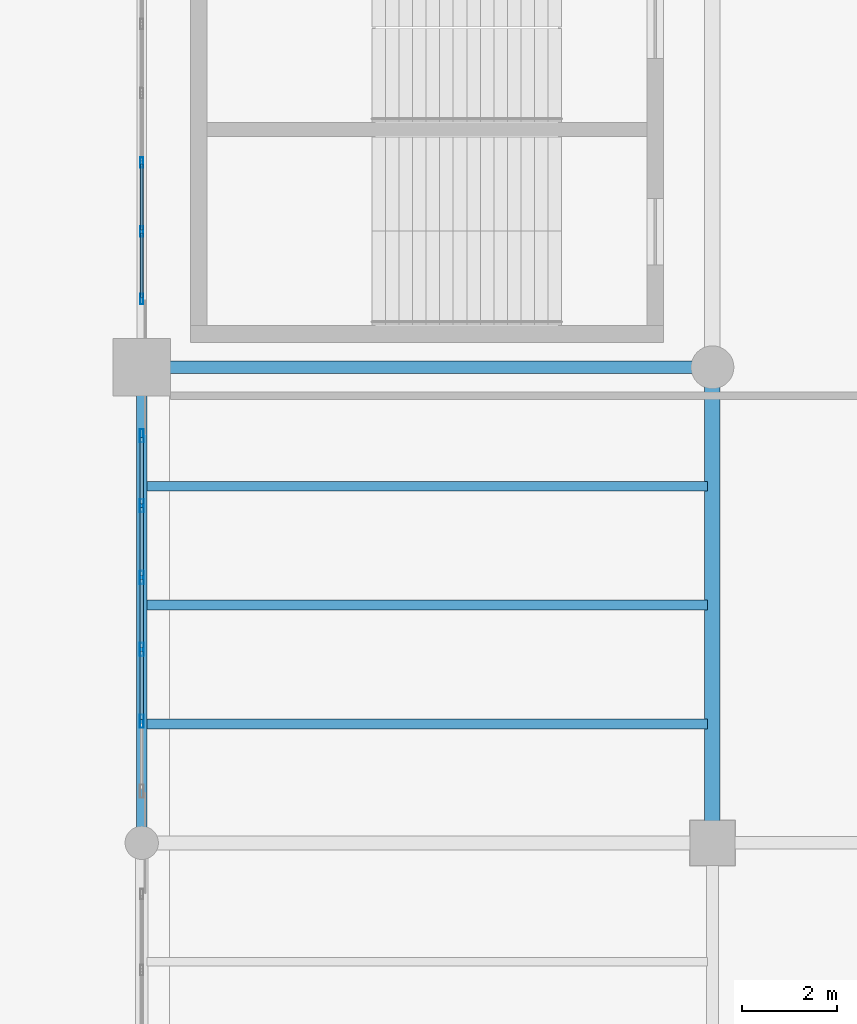
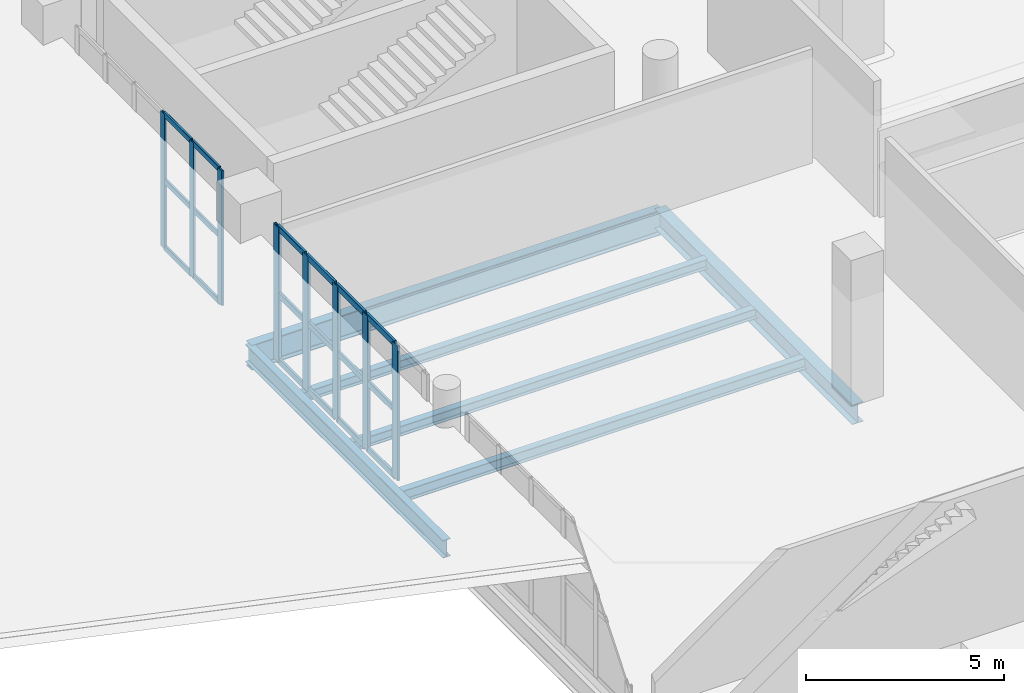
# One storey, part 22 of 90: 26 members, 6 beams, 2 elements without a shape of their own.
"""IFC4 building model written with IfcOpenShell, lengths in metres."""

from ifc_helpers import new_model, si_unit, direction, frame, origin, origin_2d, place, context, subcontext, project, spatial, hollow_rectangle, i_section, extrude, material, layer, layer_set, material_profile, profile_set, type_object, element, aggregate, save


model = new_model("IFC4")

# Units and contexts
model_context = context("Model", 3, precision=1e-05, world=origin(), true_north=direction((0.0, 1.0)))
body_context = subcontext(model_context, "Body", "Model", "MODEL_VIEW")
ifc_project = project(units=[si_unit("LENGTHUNIT", "METRE"), si_unit("AREAUNIT", "SQUARE_METRE"), si_unit("VOLUMEUNIT", "CUBIC_METRE"), si_unit("PLANEANGLEUNIT", "RADIAN"), si_unit("MASSUNIT", "GRAM", prefix="KILO")], contexts=[model_context])

# Site, building, storey
site_placement = place(None, origin())
site = spatial("IfcSite", under=ifc_project, at=site_placement, CompositionType="ELEMENT")
building_placement = place(site_placement, origin())
building = spatial("IfcBuilding", under=site, at=building_placement, Name="Brinegate Civic Arena", CompositionType="ELEMENT")
storey_placement = place(building_placement, frame((0.0, 0.0, 14.699951171875)))
storey = spatial("IfcBuildingStorey", under=building, at=storey_placement, Name="L03", CompositionType="ELEMENT", Elevation=14.699951171875)

# Curtain wall, members
ifc_material_1 = material(Name="Marine grade aluminium", Category="aluminium")
ifc_layer = layer(ifc_material_1, 0.199951171875, Name="Marine grade aluminium")
ifc_layer_set = layer_set([ifc_layer], Name="Marine grade aluminium")
curtain_wall_type = type_object("IfcCurtainWallType", Name="CW-BOWL-GLAZED-01", PredefinedType="USERDEFINED", material=ifc_layer_set)
curtain_wall_1_placement = place(storey_placement, origin())
curtain_wall_1 = element("IfcCurtainWall", 1, at=curtain_wall_1_placement, inside=storey, type_object=curtain_wall_type, Name="Curtain Wall CWA-117", ObjectType="GLAZED CURTAIN WALL", PredefinedType="USERDEFINED")
ifc_material_profile_1 = material_profile(ifc_material_1, hollow_rectangle(XDim=0.06494140625, YDim=0.219970703125, WallThickness=0.006103515625, InnerFilletRadius=0.00390625, OuterFilletRadius=0.008056640625, at=origin_2d()), Name="MUL65X220")
ifc_profile_set_1 = profile_set([ifc_material_profile_1], Name="Marine grade aluminium")
member_type_1 = type_object("IfcMemberType", Name="CW-MULLION-65X220", PredefinedType="MULLION", material=ifc_profile_set_1)
member_1_placement = place(storey_placement, frame((48.0, 73.431396484375, 0.0), z_axis=(0.0, 0.0, 1.0), x_axis=(-1.0, 0.0, 0.0)))
member_1 = element("IfcMember", 2, at=member_1_placement, type_object=member_type_1, Name="CWA-117 mullion 1", PredefinedType="MULLION", context=body_context, shape_type="SweptSolid", body=[
    extrude(hollow_rectangle(XDim=0.06494140625, YDim=0.219970703125, WallThickness=0.006103515625, InnerFilletRadius=0.00390625, OuterFilletRadius=0.008056640625, at=origin_2d()), origin(), (0.0, 0.0, 1.0), 4.16015625),
])
member_2_placement = place(storey_placement, frame((48.0, 74.853515625, 0.0), z_axis=(0.0, 0.0, 1.0), x_axis=(-1.0, 0.0, 0.0)))
member_2 = element("IfcMember", 3, at=member_2_placement, type_object=member_type_1, Name="CWA-117 mullion 2", PredefinedType="MULLION", context=body_context, shape_type="SweptSolid", body=[
    extrude(hollow_rectangle(XDim=0.06494140625, YDim=0.219970703125, WallThickness=0.006103515625, InnerFilletRadius=0.00390625, OuterFilletRadius=0.008056640625, at=origin_2d()), origin(), (0.0, 0.0, 1.0), 4.16015625),
])
member_3_placement = place(storey_placement, frame((48.0, 76.30810546875, 0.0), z_axis=(0.0, 0.0, 1.0), x_axis=(-1.0, 0.0, 0.0)))
member_3 = element("IfcMember", 4, at=member_3_placement, type_object=member_type_1, Name="CWA-117 mullion 3", PredefinedType="MULLION", context=body_context, shape_type="SweptSolid", body=[
    extrude(hollow_rectangle(XDim=0.06494140625, YDim=0.219970703125, WallThickness=0.006103515625, InnerFilletRadius=0.00390625, OuterFilletRadius=0.008056640625, at=origin_2d()), origin(), (0.0, 0.0, 1.0), 4.16015625),
])

curtain_wall_2_placement = place(storey_placement, origin())
curtain_wall_2 = element("IfcCurtainWall", 5, at=curtain_wall_2_placement, inside=storey, type_object=curtain_wall_type, Name="Curtain Wall CWA-115", ObjectType="GLAZED CURTAIN WALL", PredefinedType="USERDEFINED")
ifc_material_profile_2 = material_profile(ifc_material_1, hollow_rectangle(XDim=0.080078125, YDim=0.280029296875, WallThickness=0.007080078125, InnerFilletRadius=0.0048828125, OuterFilletRadius=0.010009765625, at=origin_2d()), Name="MUL80X280")
ifc_profile_set_2 = profile_set([ifc_material_profile_2], Name="Marine grade aluminium")
member_type_2 = type_object("IfcMemberType", Name="CW-MULLION-80X280", PredefinedType="MULLION", material=ifc_profile_set_2)
member_4_placement = place(storey_placement, frame((48.0, 64.55615234375, 0.0), z_axis=(0.0, 0.0, 1.0), x_axis=(-1.0, 0.0, 0.0)))
member_4 = element("IfcMember", 6, at=member_4_placement, type_object=member_type_2, Name="CWA-115 mullion 2", PredefinedType="MULLION", context=body_context, shape_type="SweptSolid", body=[
    extrude(hollow_rectangle(XDim=0.080078125, YDim=0.280029296875, WallThickness=0.007080078125, InnerFilletRadius=0.0048828125, OuterFilletRadius=0.010009765625, at=origin_2d()), origin(), (0.0, 0.0, 1.0), 4.16015625),
])
member_5_placement = place(storey_placement, frame((48.0, 66.0673828125, 0.0), z_axis=(0.0, 0.0, 1.0), x_axis=(-1.0, 0.0, 0.0)))
member_5 = element("IfcMember", 7, at=member_5_placement, type_object=member_type_2, Name="CWA-115 mullion 3", PredefinedType="MULLION", context=body_context, shape_type="SweptSolid", body=[
    extrude(hollow_rectangle(XDim=0.080078125, YDim=0.280029296875, WallThickness=0.007080078125, InnerFilletRadius=0.0048828125, OuterFilletRadius=0.010009765625, at=origin_2d()), origin(), (0.0, 0.0, 1.0), 4.16015625),
])
member_6_placement = place(storey_placement, frame((48.0, 67.57861328125, 0.0), z_axis=(0.0, 0.0, 1.0), x_axis=(-1.0, 0.0, 0.0)))
member_6 = element("IfcMember", 8, at=member_6_placement, type_object=member_type_2, Name="CWA-115 mullion 4", PredefinedType="MULLION", context=body_context, shape_type="SweptSolid", body=[
    extrude(hollow_rectangle(XDim=0.080078125, YDim=0.280029296875, WallThickness=0.007080078125, InnerFilletRadius=0.0048828125, OuterFilletRadius=0.010009765625, at=origin_2d()), origin(), (0.0, 0.0, 1.0), 4.16015625),
])
member_7_placement = place(storey_placement, frame((48.0, 69.08984375, 0.0), z_axis=(0.0, 0.0, 1.0), x_axis=(-1.0, 0.0, 0.0)))
member_7 = element("IfcMember", 9, at=member_7_placement, type_object=member_type_2, Name="CWA-115 mullion 5", PredefinedType="MULLION", context=body_context, shape_type="SweptSolid", body=[
    extrude(hollow_rectangle(XDim=0.080078125, YDim=0.280029296875, WallThickness=0.007080078125, InnerFilletRadius=0.0048828125, OuterFilletRadius=0.010009765625, at=origin_2d()), origin(), (0.0, 0.0, 1.0), 4.16015625),
])
member_8_placement = place(storey_placement, frame((48.0, 70.56103515625, 0.0), z_axis=(0.0, 0.0, 1.0), x_axis=(-1.0, 0.0, 0.0)))
member_8 = element("IfcMember", 10, at=member_8_placement, type_object=member_type_2, Name="CWA-115 mullion 6", PredefinedType="MULLION", context=body_context, shape_type="SweptSolid", body=[
    extrude(hollow_rectangle(XDim=0.080078125, YDim=0.280029296875, WallThickness=0.007080078125, InnerFilletRadius=0.0048828125, OuterFilletRadius=0.010009765625, at=origin_2d()), origin(), (0.0, 0.0, 1.0), 4.16015625),
])

# Member
ifc_material_profile_3 = material_profile(ifc_material_1, hollow_rectangle(XDim=0.06494140625, YDim=0.1650390625, WallThickness=0.0048828125, InnerFilletRadius=0.00390625, OuterFilletRadius=0.008056640625, at=origin_2d()), Name="TRN65X165")
ifc_profile_set_3 = profile_set([ifc_material_profile_3], Name="Marine grade aluminium")
member_type_3 = type_object("IfcMemberType", Name="CW-TRANSOM-65X165", PredefinedType="USERDEFINED", material=ifc_profile_set_3)
member_9_placement = place(storey_placement, frame((48.0, 73.464111328125, 0.032470703125), z_axis=(0.0, 1.0, 0.0), x_axis=(-1.0, 0.0, 0.0)))
member_9 = element("IfcMember", 11, at=member_9_placement, type_object=member_type_3, Name="CWA-117 transom 1.1", ObjectType="TRANSOM", PredefinedType="USERDEFINED", context=body_context, shape_type="SweptSolid", body=[
    extrude(hollow_rectangle(XDim=0.06494140625, YDim=0.1650390625, WallThickness=0.0048828125, InnerFilletRadius=0.00390625, OuterFilletRadius=0.008056640625, at=origin_2d()), origin(), (0.0, 0.0, 1.0), 1.35693359375),
])

member_10_placement = place(storey_placement, frame((48.0, 73.464111328125, 2.080078125), z_axis=(0.0, 1.0, 0.0), x_axis=(-1.0, 0.0, 0.0)))
member_10 = element("IfcMember", 12, at=member_10_placement, type_object=member_type_3, Name="CWA-117 transom 1.2", ObjectType="TRANSOM", PredefinedType="USERDEFINED", context=body_context, shape_type="SweptSolid", body=[
    extrude(hollow_rectangle(XDim=0.06494140625, YDim=0.1650390625, WallThickness=0.0048828125, InnerFilletRadius=0.00390625, OuterFilletRadius=0.008056640625, at=origin_2d()), origin(), (0.0, 0.0, 1.0), 1.35693359375),
])

member_11_placement = place(storey_placement, frame((48.0, 73.464111328125, 4.12744140625), z_axis=(0.0, 1.0, 0.0), x_axis=(-1.0, 0.0, 0.0)))
member_11 = element("IfcMember", 13, at=member_11_placement, type_object=member_type_3, Name="CWA-117 transom 1.3", ObjectType="TRANSOM", PredefinedType="USERDEFINED", context=body_context, shape_type="SweptSolid", body=[
    extrude(hollow_rectangle(XDim=0.06494140625, YDim=0.1650390625, WallThickness=0.0048828125, InnerFilletRadius=0.00390625, OuterFilletRadius=0.008056640625, at=origin_2d()), origin(), (0.0, 0.0, 1.0), 1.35693359375),
])

member_12_placement = place(storey_placement, frame((48.0, 74.885986328125, 0.032470703125), z_axis=(0.0, 1.0, 0.0), x_axis=(-1.0, 0.0, 0.0)))
member_12 = element("IfcMember", 14, at=member_12_placement, type_object=member_type_3, Name="CWA-117 transom 2.1", ObjectType="TRANSOM", PredefinedType="USERDEFINED", context=body_context, shape_type="SweptSolid", body=[
    extrude(hollow_rectangle(XDim=0.06494140625, YDim=0.1650390625, WallThickness=0.0048828125, InnerFilletRadius=0.00390625, OuterFilletRadius=0.008056640625, at=origin_2d()), origin(), (0.0, 0.0, 1.0), 1.3896484375),
])

member_13_placement = place(storey_placement, frame((48.0, 74.885986328125, 2.080078125), z_axis=(0.0, 1.0, 0.0), x_axis=(-1.0, 0.0, 0.0)))
member_13 = element("IfcMember", 15, at=member_13_placement, type_object=member_type_3, Name="CWA-117 transom 2.2", ObjectType="TRANSOM", PredefinedType="USERDEFINED", context=body_context, shape_type="SweptSolid", body=[
    extrude(hollow_rectangle(XDim=0.06494140625, YDim=0.1650390625, WallThickness=0.0048828125, InnerFilletRadius=0.00390625, OuterFilletRadius=0.008056640625, at=origin_2d()), origin(), (0.0, 0.0, 1.0), 1.3896484375),
])

member_14_placement = place(storey_placement, frame((48.0, 74.885986328125, 4.12744140625), z_axis=(0.0, 1.0, 0.0), x_axis=(-1.0, 0.0, 0.0)))
member_14 = element("IfcMember", 16, at=member_14_placement, type_object=member_type_3, Name="CWA-117 transom 2.3", ObjectType="TRANSOM", PredefinedType="USERDEFINED", context=body_context, shape_type="SweptSolid", body=[
    extrude(hollow_rectangle(XDim=0.06494140625, YDim=0.1650390625, WallThickness=0.0048828125, InnerFilletRadius=0.00390625, OuterFilletRadius=0.008056640625, at=origin_2d()), origin(), (0.0, 0.0, 1.0), 1.3896484375),
])

aggregate(curtain_wall_1, [member_1, member_2, member_3, member_9, member_10, member_11, member_12, member_13, member_14])

ifc_material_profile_4 = material_profile(ifc_material_1, hollow_rectangle(XDim=0.074951171875, YDim=0.18994140625, WallThickness=0.006103515625, InnerFilletRadius=0.00390625, OuterFilletRadius=0.008056640625, at=origin_2d()), Name="TRN75X190")
ifc_profile_set_4 = profile_set([ifc_material_profile_4], Name="Marine grade aluminium")
member_type_4 = type_object("IfcMemberType", Name="CW-TRANSOM-75X190", PredefinedType="USERDEFINED", material=ifc_profile_set_4)
member_15_placement = place(storey_placement, frame((48.0, 64.59619140625, 0.03759765625), z_axis=(0.0, 1.0, 0.0), x_axis=(-1.0, 0.0, 0.0)))
member_15 = element("IfcMember", 17, at=member_15_placement, type_object=member_type_4, Name="CWA-115 transom 2.1", ObjectType="TRANSOM", PredefinedType="USERDEFINED", context=body_context, shape_type="SweptSolid", body=[
    extrude(hollow_rectangle(XDim=0.074951171875, YDim=0.18994140625, WallThickness=0.006103515625, InnerFilletRadius=0.00390625, OuterFilletRadius=0.008056640625, at=origin_2d()), origin(), (0.0, 0.0, 1.0), 1.43115234375),
])

member_16_placement = place(storey_placement, frame((48.0, 64.59619140625, 2.080078125), z_axis=(0.0, 1.0, 0.0), x_axis=(-1.0, 0.0, 0.0)))
member_16 = element("IfcMember", 18, at=member_16_placement, type_object=member_type_4, Name="CWA-115 transom 2.2", ObjectType="TRANSOM", PredefinedType="USERDEFINED", context=body_context, shape_type="SweptSolid", body=[
    extrude(hollow_rectangle(XDim=0.074951171875, YDim=0.18994140625, WallThickness=0.006103515625, InnerFilletRadius=0.00390625, OuterFilletRadius=0.008056640625, at=origin_2d()), origin(), (0.0, 0.0, 1.0), 1.43115234375),
])

member_17_placement = place(storey_placement, frame((48.0, 64.59619140625, 4.12255859375), z_axis=(0.0, 1.0, 0.0), x_axis=(-1.0, 0.0, 0.0)))
member_17 = element("IfcMember", 19, at=member_17_placement, type_object=member_type_4, Name="CWA-115 transom 2.3", ObjectType="TRANSOM", PredefinedType="USERDEFINED", context=body_context, shape_type="SweptSolid", body=[
    extrude(hollow_rectangle(XDim=0.074951171875, YDim=0.18994140625, WallThickness=0.006103515625, InnerFilletRadius=0.00390625, OuterFilletRadius=0.008056640625, at=origin_2d()), origin(), (0.0, 0.0, 1.0), 1.43115234375),
])

member_18_placement = place(storey_placement, frame((48.0, 66.107421875, 0.03759765625), z_axis=(0.0, 1.0, 0.0), x_axis=(-1.0, 0.0, 0.0)))
member_18 = element("IfcMember", 20, at=member_18_placement, type_object=member_type_4, Name="CWA-115 transom 3.1", ObjectType="TRANSOM", PredefinedType="USERDEFINED", context=body_context, shape_type="SweptSolid", body=[
    extrude(hollow_rectangle(XDim=0.074951171875, YDim=0.18994140625, WallThickness=0.006103515625, InnerFilletRadius=0.00390625, OuterFilletRadius=0.008056640625, at=origin_2d()), origin(), (0.0, 0.0, 1.0), 1.43115234375),
])

member_19_placement = place(storey_placement, frame((48.0, 66.107421875, 2.080078125), z_axis=(0.0, 1.0, 0.0), x_axis=(-1.0, 0.0, 0.0)))
member_19 = element("IfcMember", 21, at=member_19_placement, type_object=member_type_4, Name="CWA-115 transom 3.2", ObjectType="TRANSOM", PredefinedType="USERDEFINED", context=body_context, shape_type="SweptSolid", body=[
    extrude(hollow_rectangle(XDim=0.074951171875, YDim=0.18994140625, WallThickness=0.006103515625, InnerFilletRadius=0.00390625, OuterFilletRadius=0.008056640625, at=origin_2d()), origin(), (0.0, 0.0, 1.0), 1.43115234375),
])

member_20_placement = place(storey_placement, frame((48.0, 66.107421875, 4.12255859375), z_axis=(0.0, 1.0, 0.0), x_axis=(-1.0, 0.0, 0.0)))
member_20 = element("IfcMember", 22, at=member_20_placement, type_object=member_type_4, Name="CWA-115 transom 3.3", ObjectType="TRANSOM", PredefinedType="USERDEFINED", context=body_context, shape_type="SweptSolid", body=[
    extrude(hollow_rectangle(XDim=0.074951171875, YDim=0.18994140625, WallThickness=0.006103515625, InnerFilletRadius=0.00390625, OuterFilletRadius=0.008056640625, at=origin_2d()), origin(), (0.0, 0.0, 1.0), 1.43115234375),
])

member_21_placement = place(storey_placement, frame((48.0, 67.61865234375, 0.03759765625), z_axis=(0.0, 1.0, 0.0), x_axis=(-1.0, 0.0, 0.0)))
member_21 = element("IfcMember", 23, at=member_21_placement, type_object=member_type_4, Name="CWA-115 transom 4.1", ObjectType="TRANSOM", PredefinedType="USERDEFINED", context=body_context, shape_type="SweptSolid", body=[
    extrude(hollow_rectangle(XDim=0.074951171875, YDim=0.18994140625, WallThickness=0.006103515625, InnerFilletRadius=0.00390625, OuterFilletRadius=0.008056640625, at=origin_2d()), origin(), (0.0, 0.0, 1.0), 1.43115234375),
])

member_22_placement = place(storey_placement, frame((48.0, 67.61865234375, 2.080078125), z_axis=(0.0, 1.0, 0.0), x_axis=(-1.0, 0.0, 0.0)))
member_22 = element("IfcMember", 24, at=member_22_placement, type_object=member_type_4, Name="CWA-115 transom 4.2", ObjectType="TRANSOM", PredefinedType="USERDEFINED", context=body_context, shape_type="SweptSolid", body=[
    extrude(hollow_rectangle(XDim=0.074951171875, YDim=0.18994140625, WallThickness=0.006103515625, InnerFilletRadius=0.00390625, OuterFilletRadius=0.008056640625, at=origin_2d()), origin(), (0.0, 0.0, 1.0), 1.43115234375),
])

member_23_placement = place(storey_placement, frame((48.0, 67.61865234375, 4.12255859375), z_axis=(0.0, 1.0, 0.0), x_axis=(-1.0, 0.0, 0.0)))
member_23 = element("IfcMember", 25, at=member_23_placement, type_object=member_type_4, Name="CWA-115 transom 4.3", ObjectType="TRANSOM", PredefinedType="USERDEFINED", context=body_context, shape_type="SweptSolid", body=[
    extrude(hollow_rectangle(XDim=0.074951171875, YDim=0.18994140625, WallThickness=0.006103515625, InnerFilletRadius=0.00390625, OuterFilletRadius=0.008056640625, at=origin_2d()), origin(), (0.0, 0.0, 1.0), 1.43115234375),
])

member_24_placement = place(storey_placement, frame((48.0, 69.1298828125, 0.03759765625), z_axis=(0.0, 1.0, 0.0), x_axis=(-1.0, 0.0, 0.0)))
member_24 = element("IfcMember", 26, at=member_24_placement, type_object=member_type_4, Name="CWA-115 transom 5.1", ObjectType="TRANSOM", PredefinedType="USERDEFINED", context=body_context, shape_type="SweptSolid", body=[
    extrude(hollow_rectangle(XDim=0.074951171875, YDim=0.18994140625, WallThickness=0.006103515625, InnerFilletRadius=0.00390625, OuterFilletRadius=0.008056640625, at=origin_2d()), origin(), (0.0, 0.0, 1.0), 1.39111328125),
])

member_25_placement = place(storey_placement, frame((48.0, 69.1298828125, 2.080078125), z_axis=(0.0, 1.0, 0.0), x_axis=(-1.0, 0.0, 0.0)))
member_25 = element("IfcMember", 27, at=member_25_placement, type_object=member_type_4, Name="CWA-115 transom 5.2", ObjectType="TRANSOM", PredefinedType="USERDEFINED", context=body_context, shape_type="SweptSolid", body=[
    extrude(hollow_rectangle(XDim=0.074951171875, YDim=0.18994140625, WallThickness=0.006103515625, InnerFilletRadius=0.00390625, OuterFilletRadius=0.008056640625, at=origin_2d()), origin(), (0.0, 0.0, 1.0), 1.39111328125),
])

member_26_placement = place(storey_placement, frame((48.0, 69.1298828125, 4.12255859375), z_axis=(0.0, 1.0, 0.0), x_axis=(-1.0, 0.0, 0.0)))
member_26 = element("IfcMember", 28, at=member_26_placement, type_object=member_type_4, Name="CWA-115 transom 5.3", ObjectType="TRANSOM", PredefinedType="USERDEFINED", context=body_context, shape_type="SweptSolid", body=[
    extrude(hollow_rectangle(XDim=0.074951171875, YDim=0.18994140625, WallThickness=0.006103515625, InnerFilletRadius=0.00390625, OuterFilletRadius=0.008056640625, at=origin_2d()), origin(), (0.0, 0.0, 1.0), 1.39111328125),
])

aggregate(curtain_wall_2, [member_4, member_5, member_6, member_7, member_8, member_15, member_16, member_17, member_18, member_19, member_20, member_21, member_22, member_23, member_24, member_25, member_26])

# Beams
ifc_material_2 = material(Name="Steel S355", Category="steel")
ifc_material_profile_5 = material_profile(ifc_material_2, i_section(OverallWidth=0.323974609375, OverallDepth=0.611083984375, WebThickness=0.012939453125, FlangeThickness=0.01904296875, FilletRadius=0.01611328125, at=origin_2d()), Name="W610X155")
ifc_profile_set_5 = profile_set([ifc_material_profile_5], Name="Steel S355")
beam_type_1 = type_object("IfcBeamType", Name="GIRDER-W610X155", PredefinedType="BEAM", material=ifc_profile_set_5)
beam_1_placement = place(storey_placement, frame((60.0, 62.0, -0.655029296875), z_axis=(0.0, 1.0, 0.0), x_axis=(-1.0, 0.0, 0.0)))
element("IfcBeam", 29, at=beam_1_placement, inside=storey, type_object=beam_type_1, Name="Floor Girder BM-L03-GY-05-06", PredefinedType="BEAM", context=body_context, shape_type="SweptSolid", body=[
    extrude(i_section(OverallWidth=0.323974609375, OverallDepth=0.611083984375, WebThickness=0.012939453125, FlangeThickness=0.01904296875, FilletRadius=0.01611328125, at=origin_2d()), origin(), (0.0, 0.0, 1.0), 10.0),
])
ifc_material_profile_6 = material_profile(ifc_material_2, i_section(OverallWidth=0.26806640625, OverallDepth=0.77001953125, WebThickness=0.01611328125, FlangeThickness=0.02490234375, FilletRadius=0.02001953125, at=origin_2d()), Name="W760X196")
ifc_profile_set_6 = profile_set([ifc_material_profile_6], Name="Steel S355")
beam_type_2 = type_object("IfcBeamType", Name="GIRDER-W760X196", PredefinedType="BEAM", material=ifc_profile_set_6)
beam_2_placement = place(storey_placement, frame((48.0, 72.0, -0.73486328125), z_axis=(1.0, 0.0, 0.0), x_axis=(0.0, 1.0, 0.0)))
element("IfcBeam", 30, at=beam_2_placement, inside=storey, type_object=beam_type_2, Name="Floor Girder BM-L03-GX-04-07", PredefinedType="BEAM", context=body_context, shape_type="SweptSolid", body=[
    extrude(i_section(OverallWidth=0.26806640625, OverallDepth=0.77001953125, WebThickness=0.01611328125, FlangeThickness=0.02490234375, FilletRadius=0.02001953125, at=origin_2d()), origin(), (0.0, 0.0, 1.0), 12.0),
])
ifc_material_profile_7 = material_profile(ifc_material_2, i_section(OverallWidth=0.202880859375, OverallDepth=0.302978515625, WebThickness=0.008056640625, FlangeThickness=0.012939453125, FilletRadius=0.012939453125, at=origin_2d()), Name="W310X60")
ifc_profile_set_7 = profile_set([ifc_material_profile_7], Name="Steel S355")
beam_type_3 = type_object("IfcBeamType", Name="JOIST-W310X60", PredefinedType="JOIST", material=ifc_profile_set_7)
beam_3_placement = place(storey_placement, frame((48.10595703125, 69.5, -0.5009765625), z_axis=(1.0, 0.0, 0.0), x_axis=(0.0, 1.0, 0.0)))
element("IfcBeam", 31, at=beam_3_placement, inside=storey, type_object=beam_type_3, Name="Secondary Joist BM-L03-JX-04-06-3", PredefinedType="JOIST", context=body_context, shape_type="SweptSolid", body=[
    extrude(i_section(OverallWidth=0.202880859375, OverallDepth=0.302978515625, WebThickness=0.008056640625, FlangeThickness=0.012939453125, FilletRadius=0.012939453125, at=origin_2d()), origin(), (0.0, 0.0, 1.0), 11.7880859375),
])
ifc_material_profile_8 = material_profile(ifc_material_2, i_section(OverallWidth=0.205078125, OverallDepth=0.31005859375, WebThickness=0.009033203125, FlangeThickness=0.01611328125, FilletRadius=0.012939453125, at=origin_2d()), Name="W310X74")
ifc_profile_set_8 = profile_set([ifc_material_profile_8], Name="Steel S355")
beam_type_4 = type_object("IfcBeamType", Name="JOIST-W310X74", PredefinedType="JOIST", material=ifc_profile_set_8)
beam_4_placement = place(storey_placement, frame((48.10595703125, 67.0, -0.5048828125), z_axis=(1.0, 0.0, 0.0), x_axis=(0.0, 1.0, 0.0)))
element("IfcBeam", 32, at=beam_4_placement, inside=storey, type_object=beam_type_4, Name="Secondary Joist BM-L03-JX-04-06-2", PredefinedType="JOIST", context=body_context, shape_type="SweptSolid", body=[
    extrude(i_section(OverallWidth=0.205078125, OverallDepth=0.31005859375, WebThickness=0.009033203125, FlangeThickness=0.01611328125, FilletRadius=0.012939453125, at=origin_2d()), origin(), (0.0, 0.0, 1.0), 11.7880859375),
])
ifc_material_profile_9 = material_profile(ifc_material_2, i_section(OverallWidth=0.205078125, OverallDepth=0.35400390625, WebThickness=0.009033203125, FlangeThickness=0.01708984375, FilletRadius=0.013916015625, at=origin_2d()), Name="W360X79")
ifc_profile_set_9 = profile_set([ifc_material_profile_9], Name="Steel S355")
beam_type_5 = type_object("IfcBeamType", Name="JOIST-W360X79", PredefinedType="JOIST", material=ifc_profile_set_9)
beam_5_placement = place(storey_placement, frame((48.10595703125, 64.5, -0.52685546875), z_axis=(1.0, 0.0, 0.0), x_axis=(0.0, 1.0, 0.0)))
element("IfcBeam", 33, at=beam_5_placement, inside=storey, type_object=beam_type_5, Name="Secondary Joist BM-L03-JX-04-06-1", PredefinedType="JOIST", context=body_context, shape_type="SweptSolid", body=[
    extrude(i_section(OverallWidth=0.205078125, OverallDepth=0.35400390625, WebThickness=0.009033203125, FlangeThickness=0.01708984375, FilletRadius=0.013916015625, at=origin_2d()), origin(), (0.0, 0.0, 1.0), 11.7880859375),
])
ifc_material_profile_10 = material_profile(ifc_material_2, i_section(OverallWidth=0.2119140625, OverallDepth=0.5439453125, WebThickness=0.012939453125, FlangeThickness=0.02099609375, FilletRadius=0.01611328125, at=origin_2d()), Name="W530X123")
ifc_profile_set_10 = profile_set([ifc_material_profile_10], Name="Steel S355")
beam_type_6 = type_object("IfcBeamType", Name="SPANDREL-W530X123", PredefinedType="SPANDREL", material=ifc_profile_set_10)
beam_6_placement = place(storey_placement, frame((48.0, 62.0, -0.6220703125), z_axis=(0.0, 1.0, 0.0), x_axis=(-1.0, 0.0, 0.0)))
element("IfcBeam", 34, at=beam_6_placement, inside=storey, type_object=beam_type_6, Name="Floor Girder BM-L03-GY-04-06", PredefinedType="SPANDREL", context=body_context, shape_type="SweptSolid", body=[
    extrude(i_section(OverallWidth=0.2119140625, OverallDepth=0.5439453125, WebThickness=0.012939453125, FlangeThickness=0.02099609375, FilletRadius=0.01611328125, at=origin_2d()), origin(), (0.0, 0.0, 1.0), 10.0),
])

save(model, "model.ifc")
